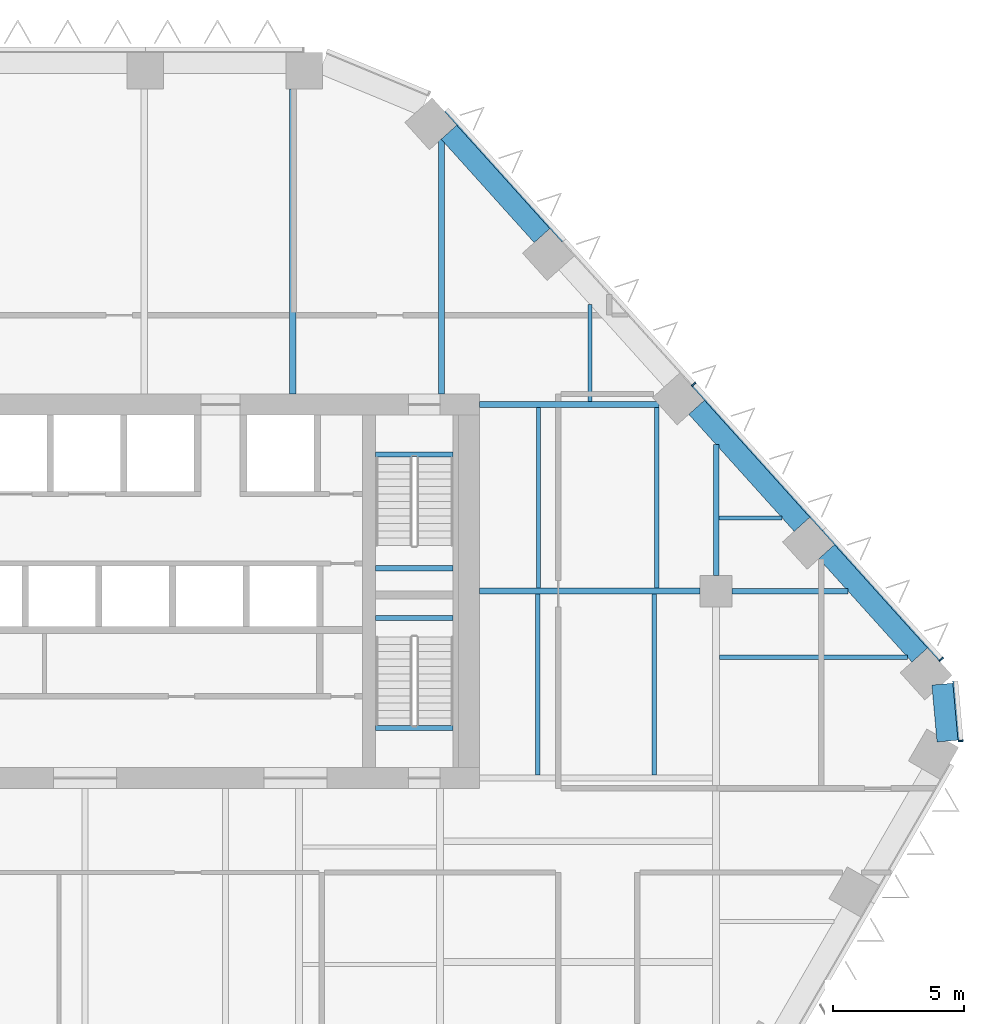
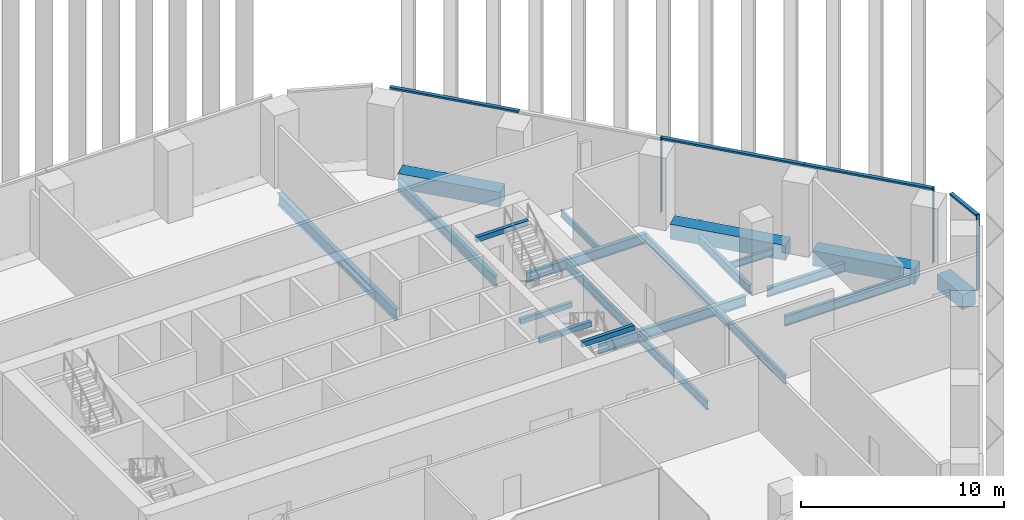
# One storey, part 8 of 18: 21 beams, 7 members, 2 elements without a shape of their own.
"""IFC4 building model written with IfcOpenShell, lengths in metres."""

from ifc_helpers import new_model, si_unit, direction, frame, origin, origin_2d, place, context, subcontext, project, spatial, rectangle, i_section, extrude, material, layer, layer_set, material_profile, profile_set, type_object, element, aggregate, save


model = new_model("IFC4")

# Units and contexts
model_context = context("Model", 3, precision=1e-05, world=origin(), true_north=direction((0.0, 1.0)))
body_context = subcontext(model_context, "Body", "Model", "MODEL_VIEW")
ifc_project = project(units=[si_unit("LENGTHUNIT", "METRE"), si_unit("AREAUNIT", "SQUARE_METRE"), si_unit("VOLUMEUNIT", "CUBIC_METRE"), si_unit("PLANEANGLEUNIT", "RADIAN"), si_unit("MASSUNIT", "GRAM", prefix="KILO")], contexts=[model_context])

# Site, building, storey
site_placement = place(None, origin())
site = spatial("IfcSite", under=ifc_project, at=site_placement, CompositionType="ELEMENT")
building_placement = place(site_placement, origin())
building = spatial("IfcBuilding", under=site, at=building_placement, Name="Isthmus Gate Tower", CompositionType="ELEMENT")
storey_placement = place(building_placement, frame((0.0, 0.0, 166.300048828125)))
storey = spatial("IfcBuildingStorey", under=building, at=storey_placement, Name="L41", CompositionType="ELEMENT", Elevation=166.300048828125)

# Curtain wall, member
ifc_material_1 = material(Name="Aluminium, pale champagne anodised", Category="aluminium")
ifc_layer = layer(ifc_material_1, 0.199951171875)
ifc_layer_set = layer_set([ifc_layer], Name="CW-2 LOUVRE CURTAIN WALL 200 DEEP")
curtain_wall_type = type_object("IfcCurtainWallType", Name="CW-2 LOUVRE CURTAIN WALL 200 DEEP", PredefinedType="NOTDEFINED", material=ifc_layer_set)
curtain_wall_1_placement = place(storey_placement, origin())
curtain_wall_1 = element("IfcCurtainWall", 1, at=curtain_wall_1_placement, inside=storey, type_object=curtain_wall_type, Name="CW-2 SE-NE L41", PredefinedType="NOTDEFINED")
ifc_material_2 = material(Name="Aluminium, pale champagne anodised", Category="aluminium")
ifc_material_profile_1 = material_profile(ifc_material_2, rectangle(XDim=0.06005859375, YDim=0.199951171875, at=origin_2d()), Name="60x200")
ifc_profile_set_1 = profile_set([ifc_material_profile_1], Name="Aluminium, pale champagne anodised")
member_type_1 = type_object("IfcMemberType", Name="CW-2 MULLION 60 X 200", PredefinedType="MULLION", material=ifc_profile_set_1)
member_1_placement = place(storey_placement, frame((33.307861328125, 1.804443359375, 0.0), z_axis=(0.0, 0.0, 1.0), x_axis=(-0.089396669717, 0.995996102123, 0.0)))
member_1 = element("IfcMember", 2, at=member_1_placement, type_object=member_type_1, Name="CW-2 mullion", PredefinedType="MULLION", context=body_context, shape_type="SweptSolid", body=[
    extrude(rectangle(XDim=0.06005859375, YDim=0.199951171875, at=origin_2d()), origin(), (0.0, 0.0, 1.0), 4.5),
])

# Curtain wall, members
curtain_wall_2_placement = place(storey_placement, origin())
curtain_wall_2 = element("IfcCurtainWall", 3, at=curtain_wall_2_placement, inside=storey, type_object=curtain_wall_type, Name="CW-2 NE L41", PredefinedType="NOTDEFINED")
member_2_placement = place(storey_placement, frame((32.5693359375, 4.908447265625, 0.0), z_axis=(0.0, 0.0, 1.0), x_axis=(-0.669130606359, 0.743144825477, 0.0)))
member_2 = element("IfcMember", 4, at=member_2_placement, type_object=member_type_1, Name="CW-2 mullion", PredefinedType="MULLION", context=body_context, shape_type="SweptSolid", body=[
    extrude(rectangle(XDim=0.06005859375, YDim=0.199951171875, at=origin_2d()), origin(), (0.0, 0.0, 1.0), 4.5),
])
member_3_placement = place(storey_placement, frame((23.14697265625, 15.373046875, 0.0), z_axis=(0.0, 0.0, 1.0), x_axis=(-0.669130606359, 0.743144825477, 0.0)))
member_3 = element("IfcMember", 5, at=member_3_placement, type_object=member_type_1, Name="CW-2 mullion", PredefinedType="MULLION", context=body_context, shape_type="SweptSolid", body=[
    extrude(rectangle(XDim=0.06005859375, YDim=0.199951171875, at=origin_2d()), origin(), (0.0, 0.0, 1.0), 4.5),
])

# Member
ifc_material_3 = material(Name="Aluminium, pale champagne anodised", Category="aluminium")
ifc_material_profile_2 = material_profile(ifc_material_3, rectangle(XDim=0.199951171875, YDim=0.110107421875, at=origin_2d()), Name="200x110")
ifc_profile_set_2 = profile_set([ifc_material_profile_2], Name="Aluminium, pale champagne anodised")
member_type_2 = type_object("IfcMemberType", Name="CW-2 TRANSOM 200 X 110", PredefinedType="USERDEFINED", material=ifc_profile_set_2)
member_4_placement = place(storey_placement, frame((33.30517578125, 1.83447265625, 4.445068359375), z_axis=(-0.089395362867, 0.995996219419, 0.0), x_axis=(-0.995996219419, -0.089395362867, 0.0)))
member_4 = element("IfcMember", 6, at=member_4_placement, type_object=member_type_2, Name="CW-2 transom", ObjectType="TRANSOM", PredefinedType="USERDEFINED", context=body_context, shape_type="SweptSolid", body=[
    extrude(rectangle(XDim=0.199951171875, YDim=0.110107421875, at=origin_2d()), origin(), (0.0, 0.0, 1.0), 2.258544921875),
])

aggregate(curtain_wall_1, [member_1, member_4])

member_5_placement = place(storey_placement, frame((32.54931640625, 4.930908203125, 4.445068359375), z_axis=(-0.669153891975, 0.743123858354, 0.0), x_axis=(-0.743123858354, -0.669153891975, 0.0)))
member_5 = element("IfcMember", 7, at=member_5_placement, type_object=member_type_2, Name="CW-2 transom", ObjectType="TRANSOM", PredefinedType="USERDEFINED", context=body_context, shape_type="SweptSolid", body=[
    extrude(rectangle(XDim=0.199951171875, YDim=0.110107421875, at=origin_2d()), origin(), (0.0, 0.0, 1.0), 6.630859375),
])

member_6_placement = place(storey_placement, frame((28.1123046875, 9.8583984375, 4.445068359375), z_axis=(-0.669123495435, 0.74315122812, 0.0), x_axis=(-0.74315122812, -0.669123495435, 0.0)))
member_6 = element("IfcMember", 8, at=member_6_placement, type_object=member_type_2, Name="CW-2 transom", ObjectType="TRANSOM", PredefinedType="USERDEFINED", context=body_context, shape_type="SweptSolid", body=[
    extrude(rectangle(XDim=0.199951171875, YDim=0.110107421875, at=origin_2d()), origin(), (0.0, 0.0, 1.0), 7.390625),
])

member_7_placement = place(storey_placement, frame((18.221435546875, 20.84326171875, 4.445068359375), z_axis=(-0.669117935274, 0.743156234378, 0.0), x_axis=(-0.743156234378, -0.669117935274, 0.0)))
member_7 = element("IfcMember", 9, at=member_7_placement, type_object=member_type_2, Name="CW-2 transom", ObjectType="TRANSOM", PredefinedType="USERDEFINED", context=body_context, shape_type="SweptSolid", body=[
    extrude(rectangle(XDim=0.199951171875, YDim=0.110107421875, at=origin_2d()), origin(), (0.0, 0.0, 1.0), 6.690673828125),
])

aggregate(curtain_wall_2, [member_2, member_5, member_6, member_3, member_7])

# Beams
ifc_material_4 = material(Name="Concrete f'c 60 MPa", Category="concrete")
ifc_material_profile_3 = material_profile(ifc_material_4, rectangle(XDim=0.800048828125, YDim=0.89990234375, at=origin_2d()), Name="RC 800X900")
ifc_profile_set_3 = profile_set([ifc_material_profile_3], Name="Concrete f'c 60 MPa")
beam_type_1 = type_object("IfcBeamType", Name="RC SPANDREL 800 X 900", PredefinedType="SPANDREL", material=ifc_profile_set_3)
beam_1_placement = place(storey_placement, frame((13.84130859375, 24.960693359375, -0.449951171875), z_axis=(0.669153370522, -0.743124327901, 0.0), x_axis=(0.743124327901, 0.669153370522, 0.0)))
element("IfcBeam", 10, at=beam_1_placement, inside=storey, type_object=beam_type_1, Name="str-spandrel-L41-01", PredefinedType="SPANDREL", context=body_context, shape_type="SweptSolid", body=[
    extrude(rectangle(XDim=0.800048828125, YDim=0.89990234375, at=origin_2d()), origin(), (0.0, 0.0, 1.0), 5.290771484375),
])
beam_2_placement = place(storey_placement, frame((23.263671875, 14.49609375, -0.449951171875), z_axis=(0.669156088603, -0.74312188037, 0.0), x_axis=(0.74312188037, 0.669156088603, 0.0)))
element("IfcBeam", 11, at=beam_2_placement, inside=storey, type_object=beam_type_1, Name="str-spandrel-L41-03", PredefinedType="SPANDREL", context=body_context, shape_type="SweptSolid", body=[
    extrude(rectangle(XDim=0.800048828125, YDim=0.89990234375, at=origin_2d()), origin(), (0.0, 0.0, 1.0), 5.99072265625),
])
beam_3_placement = place(storey_placement, frame((28.209228515625, 9.003662109375, -0.449951171875), z_axis=(0.669130424574, -0.743144989157, 0.0), x_axis=(0.743144989157, 0.669130424574, 0.0)))
element("IfcBeam", 12, at=beam_3_placement, inside=storey, type_object=beam_type_1, Name="str-spandrel-L41-04", PredefinedType="SPANDREL", context=body_context, shape_type="SweptSolid", body=[
    extrude(rectangle(XDim=0.800048828125, YDim=0.89990234375, at=origin_2d()), origin(), (0.0, 0.0, 1.0), 5.290771484375),
])
beam_4_placement = place(storey_placement, frame((32.61181640625, 3.964599609375, -0.449951171875), z_axis=(0.089421511639, -0.995993872098, 0.0), x_axis=(0.995993872098, 0.089421511639, 0.0)))
element("IfcBeam", 13, at=beam_4_placement, inside=storey, type_object=beam_type_1, Name="str-spandrel-L41-05", PredefinedType="SPANDREL", context=body_context, shape_type="SweptSolid", body=[
    extrude(rectangle(XDim=0.800048828125, YDim=0.89990234375, at=origin_2d()), origin(), (0.0, 0.0, 1.0), 2.17333984375),
])
ifc_material_5 = material(Name="Concrete f'c 40 MPa", Category="concrete")
ifc_material_profile_4 = material_profile(ifc_material_5, rectangle(XDim=0.199951171875, YDim=0.300048828125, at=origin_2d()), Name="STAIR LANDING BEAM RC 200 X 300")
ifc_profile_set_4 = profile_set([ifc_material_profile_4], Name="Concrete f'c 40 MPa")
beam_type_2 = type_object("IfcBeamType", Name="STAIR LANDING BEAM RC 200 X 300", PredefinedType="BEAM", material=ifc_profile_set_4)
for number, where, z_axis, x_axis, name in (
    (14, (11.050048828125, 8.3701171875, 1.89990234375), (1.0, 0.0, 0.0), (0.0, 1.0, 0.0), "L41 ST2 landing beam 1"),
    (15, (11.050048828125, 12.7001953125, 4.199951171875), (1.0, 0.0, 0.0), (0.0, 1.0, 0.0), "L41 ST2 floor-edge seat beam"),
    (16, (11.050048828125, 6.47998046875, 1.89990234375), (1.0, 0.0, 0.0), (0.0, 1.0, 0.0), "L41 ST8 landing beam 1"),
    (17, (11.050048828125, 2.2998046875, 4.199951171875), (1.0, 0.0, 0.0), (0.0, 1.0, 0.0), "L41 ST8 floor-edge seat beam"),
):
    element("IfcBeam", number, at=place(storey_placement, frame(where, z_axis=z_axis, x_axis=x_axis)), inside=storey, type_object=beam_type_2, Name=name, PredefinedType="BEAM", context=body_context, shape_type="SweptSolid", body=[
        extrude(rectangle(XDim=0.199951171875, YDim=0.300048828125, at=origin_2d()), origin(), (0.0, 0.0, 1.0), 2.949951171875),
    ])
ifc_material_6 = material(Name="Structural steel ASTM A992 Gr 50", Category="steel")
ifc_material_profile_5 = material_profile(ifc_material_6, i_section(OverallWidth=0.1396484375, OverallDepth=0.4033203125, WebThickness=0.00634765625, FlangeThickness=0.010986328125, at=origin_2d()), Name="W16X31")
ifc_profile_set_5 = profile_set([ifc_material_profile_5], Name="Structural steel ASTM A992 Gr 50")
beam_type_3 = type_object("IfcBeamType", Name="STEEL FLOOR BEAM W16X31", PredefinedType="JOIST", material=ifc_profile_set_5)
beam_5_placement = place(storey_placement, frame((19.204345703125, 14.71435546875, -0.501708984375), z_axis=(0.0, 1.0, 0.0), x_axis=(-1.0, 0.0, 0.0)))
element("IfcBeam", 18, at=beam_5_placement, inside=storey, type_object=beam_type_3, Name="str-beam-L41-05-07", PredefinedType="JOIST", context=body_context, shape_type="SweptSolid", body=[
    extrude(i_section(OverallWidth=0.1396484375, OverallDepth=0.4033203125, WebThickness=0.00634765625, FlangeThickness=0.010986328125, at=origin_2d()), origin(), (0.0, 0.0, 1.0), 3.6923828125),
])
beam_6_placement = place(storey_placement, frame((24.104736328125, 10.284423828125, -0.501708984375), z_axis=(1.0, 0.0, 0.0), x_axis=(0.0, 1.0, 0.0)))
element("IfcBeam", 19, at=beam_6_placement, inside=storey, type_object=beam_type_3, Name="str-beam-L41-15-00", PredefinedType="JOIST", context=body_context, shape_type="SweptSolid", body=[
    extrude(i_section(OverallWidth=0.1396484375, OverallDepth=0.4033203125, WebThickness=0.00634765625, FlangeThickness=0.010986328125, at=origin_2d()), origin(), (0.0, 0.0, 1.0), 2.412841796875),
])
ifc_material_7 = material(Name="Structural steel ASTM A992 Gr 50", Category="steel")
ifc_material_profile_6 = material_profile(ifc_material_7, i_section(OverallWidth=0.1650390625, OverallDepth=0.52392578125, WebThickness=0.009521484375, FlangeThickness=0.010986328125, at=origin_2d()), Name="W21X44")
ifc_profile_set_6 = profile_set([ifc_material_profile_6], Name="Structural steel ASTM A992 Gr 50")
beam_type_4 = type_object("IfcBeamType", Name="STEEL FLOOR BEAM W21X44", PredefinedType="JOIST", material=ifc_profile_set_6)
for number, where, z_axis, x_axis, name in (
    (20, (17.25, 7.6142578125, -0.56201171875), (0.0, 1.0, 0.0), (-1.0, 0.0, 0.0), "str-beam-L41-13-00"),
    (21, (21.75, 7.6142578125, -0.56201171875), (0.0, 1.0, 0.0), (-1.0, 0.0, 0.0), "str-beam-L41-13-01"),
    (22, (17.216552734375, 0.514404296875, -0.56201171875), (0.0, 1.0, 0.0), (-1.0, 0.0, 0.0), "str-beam-L41-14-00"),
    (23, (21.64990234375, 0.514404296875, -0.56201171875), (0.0, 1.0, 0.0), (-1.0, 0.0, 0.0), "str-beam-L41-14-01"),
):
    element("IfcBeam", number, at=place(storey_placement, frame(where, z_axis=z_axis, x_axis=x_axis)), inside=storey, type_object=beam_type_4, Name=name, PredefinedType="JOIST", context=body_context, shape_type="SweptSolid", body=[
        extrude(i_section(OverallWidth=0.1650390625, OverallDepth=0.52392578125, WebThickness=0.009521484375, FlangeThickness=0.010986328125, at=origin_2d()), origin(), (0.0, 0.0, 1.0), 6.871337890625),
    ])
ifc_material_8 = material(Name="Structural steel ASTM A992 Gr 50", Category="steel")
ifc_material_profile_7 = material_profile(ifc_material_8, i_section(OverallWidth=0.177734375, OverallDepth=0.60009765625, WebThickness=0.009521484375, FlangeThickness=0.0126953125, at=origin_2d()), Name="W24X55")
ifc_profile_set_7 = profile_set([ifc_material_profile_7], Name="Structural steel ASTM A992 Gr 50")
beam_type_5 = type_object("IfcBeamType", Name="STEEL FLOOR BEAM W24X55", PredefinedType="JOIST", material=ifc_profile_set_7)
beam_7_placement = place(storey_placement, frame((24.13330078125, 4.987548828125, -0.60009765625), z_axis=(1.0, 0.0, 0.0), x_axis=(0.0, 1.0, 0.0)))
element("IfcBeam", 24, at=beam_7_placement, inside=storey, type_object=beam_type_5, Name="str-beam-L41-16-02", PredefinedType="JOIST", context=body_context, shape_type="SweptSolid", body=[
    extrude(i_section(OverallWidth=0.177734375, OverallDepth=0.60009765625, WebThickness=0.009521484375, FlangeThickness=0.0126953125, at=origin_2d()), origin(), (0.0, 0.0, 1.0), 7.15380859375),
])
ifc_material_9 = material(Name="Structural steel ASTM A992 Gr 50", Category="steel")
ifc_material_profile_8 = material_profile(ifc_material_9, i_section(OverallWidth=0.228515625, OverallDepth=0.603271484375, WebThickness=0.010986328125, FlangeThickness=0.014404296875, at=origin_2d()), Name="W24X68")
ifc_profile_set_8 = profile_set([ifc_material_profile_8], Name="Structural steel ASTM A992 Gr 50")
beam_type_6 = type_object("IfcBeamType", Name="STEEL FLOOR BEAM W24X68", PredefinedType="JOIST", material=ifc_profile_set_8)
beam_8_placement = place(storey_placement, frame((13.5537109375, 15.0, -0.6015625), z_axis=(0.0, 1.0, 0.0), x_axis=(-1.0, 0.0, 0.0)))
element("IfcBeam", 25, at=beam_8_placement, inside=storey, type_object=beam_type_6, Name="str-beam-L41-05-06", PredefinedType="JOIST", context=body_context, shape_type="SweptSolid", body=[
    extrude(i_section(OverallWidth=0.228515625, OverallDepth=0.603271484375, WebThickness=0.010986328125, FlangeThickness=0.014404296875, at=origin_2d()), origin(), (0.0, 0.0, 1.0), 9.682373046875),
])
ifc_material_10 = material(Name="Structural steel ASTM A992 Gr 50", Category="steel")
ifc_material_profile_9 = material_profile(ifc_material_10, i_section(OverallWidth=0.25390625, OverallDepth=0.679443359375, WebThickness=0.010986328125, FlangeThickness=0.015869140625, at=origin_2d()), Name="W27X84")
ifc_profile_set_9 = profile_set([ifc_material_profile_9], Name="Structural steel ASTM A992 Gr 50")
beam_type_7 = type_object("IfcBeamType", Name="STEEL FLOOR BEAM W27X84", PredefinedType="JOIST", material=ifc_profile_set_9)
beam_9_placement = place(storey_placement, frame((7.903076171875, 15.0, -0.6396484375), z_axis=(0.0, 1.0, 0.0), x_axis=(-1.0, 0.0, 0.0)))
element("IfcBeam", 26, at=beam_9_placement, inside=storey, type_object=beam_type_7, Name="str-beam-L41-05-05", PredefinedType="JOIST", context=body_context, shape_type="SweptSolid", body=[
    extrude(i_section(OverallWidth=0.25390625, OverallDepth=0.679443359375, WebThickness=0.010986328125, FlangeThickness=0.015869140625, at=origin_2d()), origin(), (0.0, 0.0, 1.0), 11.60009765625),
])
ifc_material_11 = material(Name="Structural steel ASTM A992 Gr 50", Category="steel")
ifc_material_profile_10 = material_profile(ifc_material_11, i_section(OverallWidth=0.20947265625, OverallDepth=0.533447265625, WebThickness=0.009521484375, FlangeThickness=0.015869140625, at=origin_2d()), Name="W21X62")
ifc_profile_set_10 = profile_set([ifc_material_profile_10], Name="Structural steel ASTM A992 Gr 50")
beam_type_8 = type_object("IfcBeamType", Name="STEEL GIRDER W21X62", PredefinedType="BEAM", material=ifc_profile_set_10)
beam_10_placement = place(storey_placement, frame((24.60009765625, 7.5, -0.566650390625), z_axis=(1.0, 0.0, 0.0), x_axis=(0.0, 1.0, 0.0)))
element("IfcBeam", 27, at=beam_10_placement, inside=storey, type_object=beam_type_8, Name="str-girder-L41-06", PredefinedType="BEAM", context=body_context, shape_type="SweptSolid", body=[
    extrude(i_section(OverallWidth=0.20947265625, OverallDepth=0.533447265625, WebThickness=0.009521484375, FlangeThickness=0.015869140625, at=origin_2d()), origin(), (0.0, 0.0, 1.0), 4.4248046875),
])
beam_11_placement = place(storey_placement, frame((24.0, 8.10009765625, -0.566650390625), z_axis=(0.0, 1.0, 0.0), x_axis=(-1.0, 0.0, 0.0)))
element("IfcBeam", 28, at=beam_11_placement, inside=storey, type_object=beam_type_8, Name="str-girder-L41-12", PredefinedType="BEAM", context=body_context, shape_type="SweptSolid", body=[
    extrude(i_section(OverallWidth=0.20947265625, OverallDepth=0.533447265625, WebThickness=0.009521484375, FlangeThickness=0.015869140625, at=origin_2d()), origin(), (0.0, 0.0, 1.0), 4.98046875),
])
ifc_material_12 = material(Name="Structural steel ASTM A992 Gr 50", Category="steel")
ifc_material_profile_11 = material_profile(ifc_material_12, i_section(OverallWidth=0.228515625, OverallDepth=0.603271484375, WebThickness=0.010986328125, FlangeThickness=0.014404296875, at=origin_2d()), Name="W24X68")
ifc_profile_set_11 = profile_set([ifc_material_profile_11], Name="Structural steel ASTM A992 Gr 50")
beam_type_9 = type_object("IfcBeamType", Name="STEEL GIRDER W24X68", PredefinedType="BEAM", material=ifc_profile_set_11)
beam_12_placement = place(storey_placement, frame((15.0, 14.60009765625, -0.6015625), z_axis=(1.0, 0.0, 0.0), x_axis=(0.0, 1.0, 0.0)))
element("IfcBeam", 29, at=beam_12_placement, inside=storey, type_object=beam_type_9, Name="str-girder-L41-16", PredefinedType="BEAM", context=body_context, shape_type="SweptSolid", body=[
    extrude(i_section(OverallWidth=0.228515625, OverallDepth=0.603271484375, WebThickness=0.010986328125, FlangeThickness=0.014404296875, at=origin_2d()), origin(), (0.0, 0.0, 1.0), 6.824462890625),
])
ifc_material_13 = material(Name="Structural steel ASTM A992 Gr 50", Category="steel")
ifc_material_profile_12 = material_profile(ifc_material_13, i_section(OverallWidth=0.228515625, OverallDepth=0.6064453125, WebThickness=0.010986328125, FlangeThickness=0.017578125, at=origin_2d()), Name="W24X76")
ifc_profile_set_12 = profile_set([ifc_material_profile_12], Name="Structural steel ASTM A992 Gr 50")
beam_type_10 = type_object("IfcBeamType", Name="STEEL GIRDER W24X76", PredefinedType="BEAM", material=ifc_profile_set_12)
beam_13_placement = place(storey_placement, frame((15.0, 7.5, -0.603271484375), z_axis=(1.0, 0.0, 0.0), x_axis=(0.0, 1.0, 0.0)))
element("IfcBeam", 30, at=beam_13_placement, inside=storey, type_object=beam_type_10, Name="str-girder-L41-05", PredefinedType="BEAM", context=body_context, shape_type="SweptSolid", body=[
    extrude(i_section(OverallWidth=0.228515625, OverallDepth=0.6064453125, WebThickness=0.010986328125, FlangeThickness=0.017578125, at=origin_2d()), origin(), (0.0, 0.0, 1.0), 8.39990234375),
])

save(model, "model.ifc")
